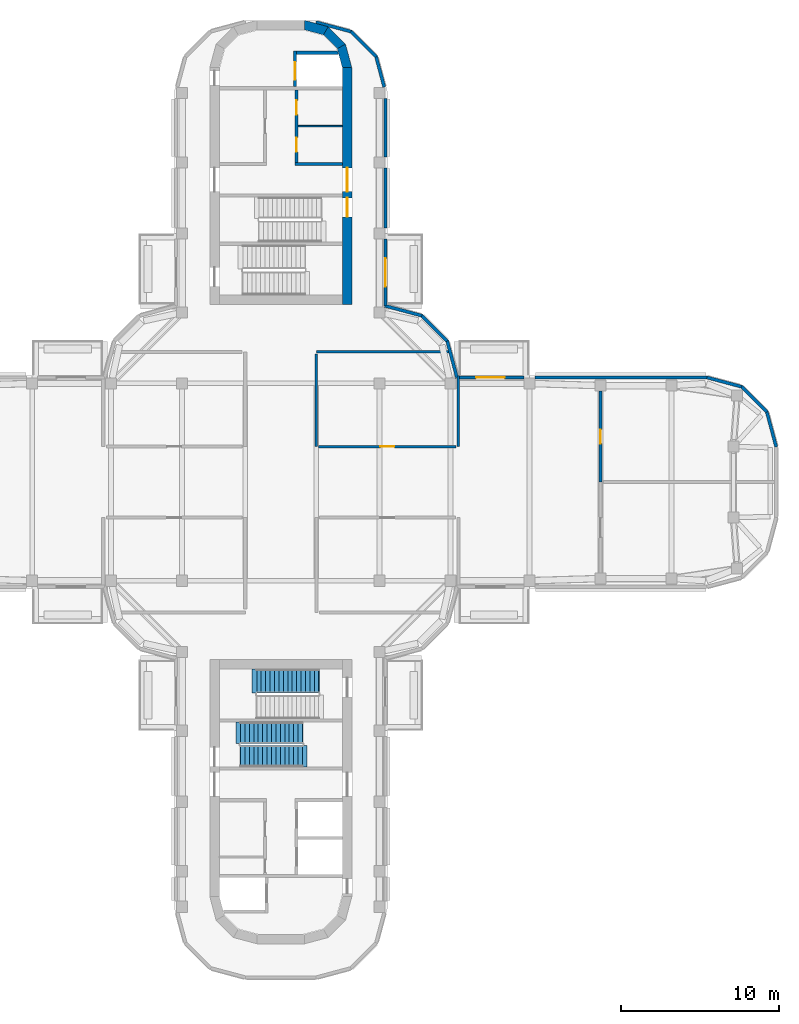
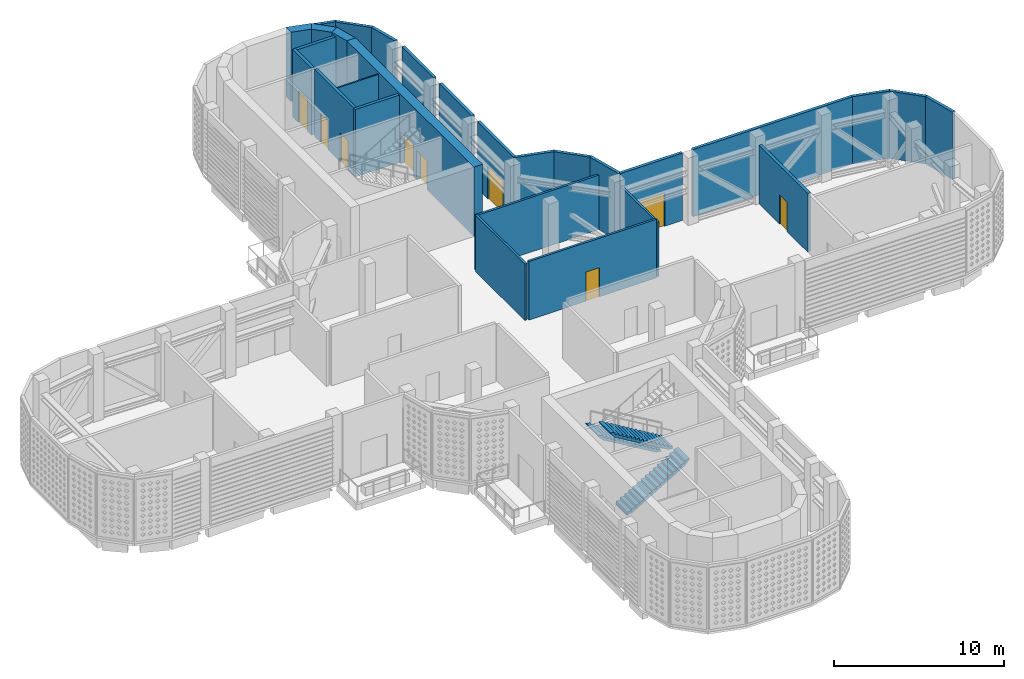
# One storey, part 7 of 20: 28 walls, 9 doors, 3 stair flights, 9 openings, 2 elements without a shape of their own.
"""IFC4 building model written with IfcOpenShell, lengths in metres."""

from ifc_helpers import new_model, si_unit, direction, frame, frame_2d, origin, place, context, subcontext, project, spatial, polyline, rectangle, outline, extrude, material, layer, layer_set, type_object, element, fill, aggregate, save


model = new_model("IFC4")

# Units and contexts
model_context = context("Model", 3, precision=1e-05, world=origin(), true_north=direction((0.0, 1.0)))
body_context = subcontext(model_context, "Body", "Model", "MODEL_VIEW")
ifc_project = project(units=[si_unit("LENGTHUNIT", "METRE"), si_unit("AREAUNIT", "SQUARE_METRE"), si_unit("VOLUMEUNIT", "CUBIC_METRE"), si_unit("PLANEANGLEUNIT", "RADIAN"), si_unit("MASSUNIT", "GRAM", prefix="KILO")], contexts=[model_context])

# Site, building, storey
site_placement = place(None, origin())
site = spatial("IfcSite", under=ifc_project, at=site_placement, CompositionType="ELEMENT")
building_placement = place(site_placement, origin())
building = spatial("IfcBuilding", under=site, at=building_placement, Name="Zarbagh Exchange Tower", CompositionType="ELEMENT")
storey_placement = place(building_placement, frame((0.0, 0.0, 244.800048828125)))
storey = spatial("IfcBuildingStorey", under=building, at=storey_placement, Name="L60", CompositionType="ELEMENT", Elevation=244.800048828125)

# Walls
ifc_material_1 = material(Name="Plasterboard partition")
ifc_layer_1 = layer(ifc_material_1, 0.14990234375)
ifc_layer_set_1 = layer_set([ifc_layer_1], Name="Board partition 150")
wall_type_1 = type_object("IfcWallType", Name="Board partition 150", PredefinedType="PARTITIONING", material=ifc_layer_set_1)
wall_1_placement = place(storey_placement, frame((10.84814453125, 8.25, 0.0), z_axis=(0.0, 0.0, 1.0), x_axis=(-1.0, 0.0, 0.0)))
element("IfcWall", 1, at=wall_1_placement, inside=storey, type_object=wall_type_1, Name="WL-L60-W001", PredefinedType="PARTITIONING", context=body_context, shape_type="SweptSolid", body=[
    extrude(rectangle(XDim=8.59814453125, YDim=0.14990234375, at=frame_2d((4.299072265625, 0.0))), origin(), (0.0, 0.0, 1.0), 3.929931640625),
])
wall_2_placement = place(storey_placement, frame((2.25, 8.10009765625, 0.0), z_axis=(0.0, 0.0, 1.0), x_axis=(0.0, -1.0, 0.0)))
element("IfcWall", 2, at=wall_2_placement, inside=storey, type_object=wall_type_1, Name="WL-L60-W002", PredefinedType="PARTITIONING", context=body_context, shape_type="SweptSolid", body=[
    extrude(rectangle(XDim=5.85009765625, YDim=0.14990234375, at=frame_2d((2.925048828125, 0.0))), origin(), (0.0, 0.0, 1.0), 4.0732421875),
])
wall_3_placement = place(storey_placement, frame((11.25, 6.75, 0.0), z_axis=(0.0, 0.0, 1.0), x_axis=(0.0, -1.0, 0.0)))
element("IfcWall", 3, at=wall_3_placement, inside=storey, type_object=wall_type_1, Name="WL-L60-W009", PredefinedType="PARTITIONING", context=body_context, shape_type="SweptSolid", body=[
    extrude(rectangle(XDim=4.5, YDim=0.14990234375, at=frame_2d((2.25, 0.0))), origin(), (0.0, 0.0, 1.0), 3.929931640625),
])

# Wall, opening, door
wall_4_placement = place(storey_placement, frame((2.39990234375, 2.25, 0.0), z_axis=(0.0, 0.0, 1.0), x_axis=(1.0, 0.0, 0.0)))
wall_4 = element("IfcWall", 4, at=wall_4_placement, inside=storey, type_object=wall_type_1, Name="WL-L60-W010", PredefinedType="PARTITIONING", context=body_context, shape_type="SweptSolid", body=[
    extrude(rectangle(XDim=8.7001953125, YDim=0.14990234375, at=frame_2d((4.35009765625, 0.0))), origin(), (0.0, 0.0, 1.0), 4.222900390625),
])
opening_1_placement = place(wall_4_placement, frame((3.89990234375, 0.0, 0.0)))
opening_1 = element("IfcOpeningElement", 5, at=opening_1_placement, cuts=wall_4, Name="Opening D28", PredefinedType="OPENING", context=body_context, shape_type="SweptSolid", body=[
    extrude(rectangle(XDim=0.89990234375, YDim=2.10009765625, at=frame_2d((0.449951171875, 1.050048828125))), frame((0.0, 0.0849609375, 0.0), z_axis=(0.0, -1.0, 0.0), x_axis=(1.0, 0.0, 0.0)), (0.0, 0.0, 1.0), 0.169921875),
])
ifc_material_2 = material(Name="Timber door leaf", Category="wood")
door_type_1 = type_object("IfcDoorType", Name="Door single 900x2100", OperationType="SINGLE_SWING_LEFT", PredefinedType="DOOR", material=ifc_material_2)
door_1_placement = place(opening_1_placement, origin())
door_1 = element("IfcDoor", 6, at=door_1_placement, inside=storey, type_object=door_type_1, Name="D01", OperationType="SINGLE_SWING_LEFT", OverallHeight=2.10009765625, OverallWidth=0.89990234375, PredefinedType="DOOR", context=body_context, shape_type="SweptSolid", body=[
    extrude(rectangle(XDim=0.89990234375, YDim=2.10009765625, at=frame_2d((0.449951171875, 1.050048828125))), frame((0.0, 0.02490234375, 0.0), z_axis=(0.0, -1.0, 0.0), x_axis=(1.0, 0.0, 0.0)), (0.0, 0.0, 1.0), 0.050048828125),
])
fill(opening_1, door_1)

# Wall
ifc_material_3 = material(Name="Dense blockwork", Category="masonry")
ifc_layer_2 = layer(ifc_material_3, 0.10009765625)
ifc_layer_set_2 = layer_set([ifc_layer_2], Name="Core partition 100 mm blockwork")
wall_type_2 = type_object("IfcWallType", Name="Core partition 100 mm blockwork", PredefinedType="PARTITIONING", material=ifc_layer_set_2)
wall_5_placement = place(storey_placement, frame((1.10009765625, 22.550048828125, 0.0), z_axis=(0.0, 0.0, 1.0), x_axis=(1.0, 0.0, 0.0)))
element("IfcWall", 7, at=wall_5_placement, inside=storey, type_object=wall_type_2, Name="North core partition wall CUT-E-580", PredefinedType="PARTITIONING", context=body_context, shape_type="SweptSolid", body=[
    extrude(rectangle(XDim=2.7998046875, YDim=0.10009765625, at=frame_2d((1.39990234375, 0.0))), origin(), (0.0, 0.0, 1.0), 4.849853515625),
])

# Wall, opening, door
ifc_material_4 = material(Name="Concrete block partition", Category="concrete")
ifc_layer_3 = layer(ifc_material_4, 0.199951171875)
ifc_layer_set_3 = layer_set([ifc_layer_3], Name="Fire-rated block partition 200 EI 60")
wall_type_3 = type_object("IfcWallType", Name="Fire-rated block partition 200 EI 60", PredefinedType="PARTITIONING", material=ifc_layer_set_3)
wall_6_placement = place(storey_placement, frame((20.25, 5.760009765625, 0.0), z_axis=(0.0, 0.0, 1.0), x_axis=(0.0, -1.0, 0.0)))
wall_6 = element("IfcWall", 8, at=wall_6_placement, inside=storey, type_object=wall_type_3, Name="WL-L60-W018", PredefinedType="PARTITIONING", context=body_context, shape_type="SweptSolid", body=[
    extrude(rectangle(XDim=5.760009765625, YDim=0.199951171875, at=frame_2d((2.8798828125, 0.0))), origin(), (0.0, 0.0, 1.0), 4.222900390625),
])
opening_2_placement = place(wall_6_placement, frame((2.429931640625, 0.0, 0.0)))
opening_2 = element("IfcOpeningElement", 9, at=opening_2_placement, cuts=wall_6, Name="Opening D06", PredefinedType="OPENING", context=body_context, shape_type="SweptSolid", body=[
    extrude(rectangle(XDim=0.89990234375, YDim=2.10009765625, at=frame_2d((0.449951171875, 1.050048828125))), frame((0.0, 0.10986328125, 0.0), z_axis=(0.0, -1.0, 0.0), x_axis=(1.0, 0.0, 0.0)), (0.0, 0.0, 1.0), 0.219970703125),
])
ifc_material_5 = material(Name="Steel door set", Category="steel")
door_type_2 = type_object("IfcDoorType", Name="Door single 900x2100 EI 60", OperationType="SINGLE_SWING_LEFT", PredefinedType="DOOR", material=ifc_material_5)
door_2_placement = place(opening_2_placement, origin())
door_2 = element("IfcDoor", 10, at=door_2_placement, inside=storey, type_object=door_type_2, Name="D06", OperationType="SINGLE_SWING_LEFT", OverallHeight=2.10009765625, OverallWidth=0.89990234375, PredefinedType="DOOR", context=body_context, shape_type="SweptSolid", body=[
    extrude(rectangle(XDim=0.89990234375, YDim=2.10009765625, at=frame_2d((0.449951171875, 1.050048828125))), frame((0.0, 0.02490234375, 0.0), z_axis=(0.0, -1.0, 0.0), x_axis=(1.0, 0.0, 0.0)), (0.0, 0.0, 1.0), 0.050048828125),
])
fill(opening_2, door_2)

# Walls
ifc_material_6 = material(Name="Precast concrete C50/60", Category="concrete")
ifc_layer_4 = layer(ifc_material_6, 0.199951171875)
ifc_layer_set_4 = layer_set([ifc_layer_4], Name="Plant wall, precast concrete C50/60")
wall_type_4 = type_object("IfcWallType", Name="Plant wall, precast concrete C50/60", PredefinedType="SOLIDWALL", material=ifc_layer_set_4)
wall_7_placement = place(storey_placement, origin())
element("IfcWall", 11, at=wall_7_placement, inside=storey, type_object=wall_type_4, Name="PW54 plant wall", PredefinedType="SOLIDWALL", context=body_context, shape_type="SweptSolid", body=[
    extrude(outline(polyline([(31.47998046875, 2.247314453125), (30.879150390625, 4.48974609375), (30.699951171875, 4.38623046875), (31.280029296875, 2.220947265625), (31.47998046875, 2.247314453125)])), origin(), (0.0, 0.0, 1.0), 4.849853515625),
])
wall_8_placement = place(storey_placement, origin())
element("IfcWall", 12, at=wall_8_placement, inside=storey, type_object=wall_type_4, Name="PW55 plant wall", PredefinedType="SOLIDWALL", context=body_context, shape_type="SweptSolid", body=[
    extrude(outline(polyline([(30.879150390625, 4.48974609375), (29.23974609375, 6.129150390625), (29.13623046875, 5.949951171875), (30.699951171875, 4.38623046875), (30.879150390625, 4.48974609375)])), origin(), (0.0, 0.0, 1.0), 4.849853515625),
])
wall_9_placement = place(storey_placement, origin())
element("IfcWall", 13, at=wall_9_placement, inside=storey, type_object=wall_type_4, Name="PW56 plant wall", PredefinedType="SOLIDWALL", context=body_context, shape_type="SweptSolid", body=[
    extrude(outline(polyline([(29.23974609375, 6.129150390625), (26.997314453125, 6.72998046875), (26.970947265625, 6.530029296875), (29.13623046875, 5.949951171875), (29.23974609375, 6.129150390625)])), origin(), (0.0, 0.0, 1.0), 4.849853515625),
])
wall_10_placement = place(storey_placement, origin())
element("IfcWall", 14, at=wall_10_placement, inside=storey, type_object=wall_type_4, Name="PW57 plant wall", PredefinedType="SOLIDWALL", context=body_context, shape_type="SweptSolid", body=[
    extrude(outline(polyline([(26.997314453125, 6.72998046875), (16.10009765625, 6.72998046875), (16.10009765625, 6.530029296875), (26.970947265625, 6.530029296875), (26.997314453125, 6.72998046875)])), origin(), (0.0, 0.0, 1.0), 4.849853515625),
])
wall_11_placement = place(storey_placement, origin())
element("IfcWall", 15, at=wall_11_placement, inside=storey, type_object=wall_type_4, Name="PW17 plant wall", PredefinedType="SOLIDWALL", context=body_context, shape_type="SweptSolid", body=[
    extrude(outline(polyline([(11.234619140625, 6.72998046875), (10.629150390625, 8.98974609375), (10.449951171875, 8.88623046875), (11.081298828125, 6.530029296875), (11.234619140625, 6.72998046875)])), origin(), (0.0, 0.0, 1.0), 4.849853515625),
])
wall_12_placement = place(storey_placement, origin())
element("IfcWall", 16, at=wall_12_placement, inside=storey, type_object=wall_type_4, Name="PW18 plant wall", PredefinedType="SOLIDWALL", context=body_context, shape_type="SweptSolid", body=[
    extrude(outline(polyline([(10.629150390625, 8.98974609375), (8.98974609375, 10.629150390625), (8.88623046875, 10.449951171875), (10.449951171875, 8.88623046875), (10.629150390625, 8.98974609375)])), origin(), (0.0, 0.0, 1.0), 4.849853515625),
])
wall_13_placement = place(storey_placement, origin())
element("IfcWall", 17, at=wall_13_placement, inside=storey, type_object=wall_type_4, Name="PW19 plant wall", PredefinedType="SOLIDWALL", context=body_context, shape_type="SweptSolid", body=[
    extrude(outline(polyline([(8.98974609375, 10.629150390625), (6.72998046875, 11.234619140625), (6.530029296875, 11.081298828125), (8.88623046875, 10.449951171875), (8.98974609375, 10.629150390625)])), origin(), (0.0, 0.0, 1.0), 4.849853515625),
])
wall_14_placement = place(storey_placement, origin())
element("IfcWall", 18, at=wall_14_placement, inside=storey, type_object=wall_type_4, Name="PW85 plant wall", PredefinedType="SOLIDWALL", context=body_context, shape_type="SweptSolid", body=[
    extrude(outline(polyline([(6.72998046875, 16.10009765625), (6.72998046875, 19.89990234375), (6.530029296875, 19.89990234375), (6.530029296875, 16.10009765625), (6.72998046875, 16.10009765625)])), origin(), (0.0, 0.0, 1.0), 4.849853515625),
])
wall_15_placement = place(storey_placement, origin())
element("IfcWall", 19, at=wall_15_placement, inside=storey, type_object=wall_type_4, Name="PW85 plant wall", PredefinedType="SOLIDWALL", context=body_context, shape_type="SweptSolid", body=[
    extrude(outline(polyline([(6.72998046875, 20.60009765625), (6.72998046875, 24.300048828125), (6.530029296875, 24.300048828125), (6.530029296875, 20.60009765625), (6.72998046875, 20.60009765625)])), origin(), (0.0, 0.0, 1.0), 4.849853515625),
])
wall_16_placement = place(storey_placement, origin())
element("IfcWall", 20, at=wall_16_placement, inside=storey, type_object=wall_type_4, Name="PW86 plant wall", PredefinedType="SOLIDWALL", context=body_context, shape_type="SweptSolid", body=[
    extrude(outline(polyline([(6.648193359375, 25.052490234375), (6.129150390625, 26.98974609375), (5.949951171875, 26.88623046875), (6.455078125, 25.00048828125), (6.648193359375, 25.052490234375)])), origin(), (0.0, 0.0, 1.0), 4.849853515625),
])
wall_17_placement = place(storey_placement, origin())
element("IfcWall", 21, at=wall_17_placement, inside=storey, type_object=wall_type_4, Name="PW87 plant wall", PredefinedType="SOLIDWALL", context=body_context, shape_type="SweptSolid", body=[
    extrude(outline(polyline([(6.129150390625, 26.98974609375), (4.48974609375, 28.629150390625), (4.38623046875, 28.449951171875), (5.949951171875, 26.88623046875), (6.129150390625, 26.98974609375)])), origin(), (0.0, 0.0, 1.0), 4.849853515625),
])
wall_18_placement = place(storey_placement, origin())
element("IfcWall", 22, at=wall_18_placement, inside=storey, type_object=wall_type_4, Name="PW88 plant wall", PredefinedType="SOLIDWALL", context=body_context, shape_type="SweptSolid", body=[
    extrude(outline(polyline([(2.247314453125, 29.22998046875), (2.224365234375, 29.055908203125), (3.0, 28.84814453125), (3.03662109375, 28.8115234375), (4.38623046875, 28.449951171875), (4.48974609375, 28.629150390625), (2.247314453125, 29.22998046875)])), origin(), (0.0, 0.0, 1.0), 4.849853515625),
])
ifc_material_7 = material(Name="Concrete C50/60", Category="concrete")
ifc_layer_5 = layer(ifc_material_7, 0.60009765625)
ifc_layer_set_5 = layer_set([ifc_layer_5], Name="RC core corner wall 600 C50/60")
wall_type_5 = type_object("IfcWallType", Name="RC core corner wall 600 C50/60", PredefinedType="SHEAR", material=ifc_layer_set_5)
wall_19_placement = place(storey_placement, origin())
element("IfcWall", 23, at=wall_19_placement, inside=storey, type_object=wall_type_5, Name="CW8 core N corner E", PredefinedType="SHEAR", context=body_context, shape_type="SweptSolid", body=[
    extrude(outline(polyline([(4.5, 26.25), (4.09814453125, 27.75), (3.57861328125, 27.449951171875), (3.89990234375, 26.25), (4.5, 26.25)])), origin(), (0.0, 0.0, 1.0), 5.0),
])
wall_20_placement = place(storey_placement, origin())
element("IfcWall", 24, at=wall_20_placement, inside=storey, type_object=wall_type_5, Name="CW8 core N corner E", PredefinedType="SHEAR", context=body_context, shape_type="SweptSolid", body=[
    extrude(outline(polyline([(4.09814453125, 27.75), (3.0, 28.84814453125), (2.699951171875, 28.32861328125), (3.57861328125, 27.449951171875), (4.09814453125, 27.75)])), origin(), (0.0, 0.0, 1.0), 5.0),
])
wall_21_placement = place(storey_placement, origin())
element("IfcWall", 25, at=wall_21_placement, inside=storey, type_object=wall_type_5, Name="CW8 core N corner E", PredefinedType="SHEAR", context=body_context, shape_type="SweptSolid", body=[
    extrude(outline(polyline([(3.0, 28.84814453125), (1.5, 29.25), (1.5, 28.64990234375), (2.699951171875, 28.32861328125), (3.0, 28.84814453125)])), origin(), (0.0, 0.0, 1.0), 5.0),
])

# Wall, openings, doors
ifc_layer_6 = layer(ifc_material_7, 0.60009765625)
ifc_layer_set_6 = layer_set([ifc_layer_6], Name="RC core wall 600 C50/60")
wall_type_6 = type_object("IfcWallType", Name="RC core wall 600 C50/60", PredefinedType="SHEAR", material=ifc_layer_set_6)
wall_22_placement = place(storey_placement, frame((4.199951171875, 11.25, 0.0), z_axis=(0.0, 0.0, 1.0), x_axis=(0.0, 1.0, 0.0)))
wall_22 = element("IfcWall", 26, at=wall_22_placement, inside=storey, type_object=wall_type_6, Name="CW7 core N E", PredefinedType="SHEAR", context=body_context, shape_type="SweptSolid", body=[
    extrude(rectangle(XDim=15.0, YDim=0.60009765625, at=frame_2d((7.5, 0.0))), origin(), (0.0, 0.0, 1.0), 5.0),
])
opening_3_placement = place(wall_22_placement, frame((7.14990234375, 0.0, 0.0)))
opening_3 = element("IfcOpeningElement", 27, at=opening_3_placement, cuts=wall_22, Name="Opening CD1-1500", PredefinedType="OPENING", context=body_context, shape_type="SweptSolid", body=[
    extrude(rectangle(XDim=1.5, YDim=2.300048828125, at=frame_2d((0.75, 1.14990234375))), frame((0.0, 0.31005859375, 0.0), z_axis=(0.0, -1.0, 0.0), x_axis=(1.0, 0.0, 0.0)), (0.0, 0.0, 1.0), 0.6201171875),
])
opening_4_placement = place(wall_22_placement, frame((5.550048828125, 0.0, 0.0)))
opening_4 = element("IfcOpeningElement", 28, at=opening_4_placement, cuts=wall_22, Name="Opening SD1-1200", PredefinedType="OPENING", context=body_context, shape_type="SweptSolid", body=[
    extrude(rectangle(XDim=1.199951171875, YDim=2.10009765625, at=frame_2d((0.60009765625, 1.050048828125))), frame((0.0, 0.31005859375, 0.0), z_axis=(0.0, -1.0, 0.0), x_axis=(1.0, 0.0, 0.0)), (0.0, 0.0, 1.0), 0.6201171875),
])
ifc_material_8 = material(Name="Steel", Category="steel")
door_type_3 = type_object("IfcDoorType", Name="Exit stair door 1200 x 2100", OperationType="NOTDEFINED", PredefinedType="DOOR", material=ifc_material_8)
door_3_placement = place(opening_4_placement, origin())
door_3 = element("IfcDoor", 29, at=door_3_placement, inside=storey, type_object=door_type_3, Name="North core stair door ST1", OperationType="SINGLE_SWING_RIGHT", OverallHeight=2.10009765625, OverallWidth=1.199951171875, PredefinedType="DOOR", context=body_context, shape_type="SweptSolid", body=[
    extrude(rectangle(XDim=1.199951171875, YDim=2.10009765625, at=frame_2d((0.60009765625, 1.050048828125))), frame((0.0, 0.02490234375, 0.0), z_axis=(0.0, -1.0, 0.0), x_axis=(1.0, 0.0, 0.0)), (0.0, 0.0, 1.0), 0.050048828125),
])
fill(opening_4, door_3)
door_type_4 = type_object("IfcDoorType", Name="Lift lobby double door 1500 x 2300", OperationType="NOTDEFINED", PredefinedType="DOOR", material=ifc_material_8)
door_4_placement = place(opening_3_placement, origin())
door_4 = element("IfcDoor", 30, at=door_4_placement, inside=storey, type_object=door_type_4, Name="North core lift lobby door LOBBY-E", OperationType="DOUBLE_DOOR_SINGLE_SWING", OverallHeight=2.300048828125, OverallWidth=1.5, PredefinedType="DOOR", context=body_context, shape_type="SweptSolid", body=[
    extrude(rectangle(XDim=1.5, YDim=2.300048828125, at=frame_2d((0.75, 1.14990234375))), frame((0.0, 0.02490234375, 0.0), z_axis=(0.0, -1.0, 0.0), x_axis=(1.0, 0.0, 0.0)), (0.0, 0.0, 1.0), 0.050048828125),
])
fill(opening_3, door_4)

# Wall
ifc_layer_7 = layer(ifc_material_3, 0.199951171875)
ifc_layer_set_7 = layer_set([ifc_layer_7], Name="Shaft wall 200 mm blockwork")
wall_type_7 = type_object("IfcWallType", Name="Shaft wall 200 mm blockwork", PredefinedType="PARTITIONING", material=ifc_layer_set_7)
wall_23_placement = place(storey_placement, frame((0.89990234375, 20.14990234375, 0.0), z_axis=(0.0, 0.0, 1.0), x_axis=(1.0, 0.0, 0.0)))
element("IfcWall", 31, at=wall_23_placement, inside=storey, type_object=wall_type_7, Name="North core shaft wall AB-E", PredefinedType="PARTITIONING", context=body_context, shape_type="SweptSolid", body=[
    extrude(rectangle(XDim=3.0, YDim=0.199951171875, at=frame_2d((1.5, 0.0))), origin(), (0.0, 0.0, 1.0), 4.849853515625),
])

# Wall, openings, doors
wall_24_placement = place(storey_placement, frame((1.0, 24.85009765625, 0.0), z_axis=(0.0, 0.0, 1.0), x_axis=(0.0, -1.0, 0.0)))
wall_24 = element("IfcWall", 32, at=wall_24_placement, inside=storey, type_object=wall_type_7, Name="North core shaft wall LW-E", PredefinedType="PARTITIONING", context=body_context, shape_type="SweptSolid", body=[
    extrude(rectangle(XDim=4.60009765625, YDim=0.199951171875, at=frame_2d((2.300048828125, 0.0))), origin(), (0.0, 0.0, 1.0), 4.849853515625),
])
opening_5_placement = place(wall_24_placement, frame((0.675048828125, 0.0, 0.0)))
opening_5 = element("IfcOpeningElement", 33, at=opening_5_placement, cuts=wall_24, Name="Opening CD3-900", PredefinedType="OPENING", context=body_context, shape_type="SweptSolid", body=[
    extrude(rectangle(XDim=0.89990234375, YDim=2.10009765625, at=frame_2d((0.449951171875, 1.050048828125))), frame((0.0, 0.10986328125, 0.0), z_axis=(0.0, -1.0, 0.0), x_axis=(1.0, 0.0, 0.0)), (0.0, 0.0, 1.0), 0.219970703125),
])
opening_6_placement = place(wall_24_placement, frame((3.02490234375, 0.0, 0.0)))
opening_6 = element("IfcOpeningElement", 34, at=opening_6_placement, cuts=wall_24, Name="Opening CD3-900", PredefinedType="OPENING", context=body_context, shape_type="SweptSolid", body=[
    extrude(rectangle(XDim=0.89990234375, YDim=2.10009765625, at=frame_2d((0.449951171875, 1.050048828125))), frame((0.0, 0.10986328125, 0.0), z_axis=(0.0, -1.0, 0.0), x_axis=(1.0, 0.0, 0.0)), (0.0, 0.0, 1.0), 0.219970703125),
])
door_type_5 = type_object("IfcDoorType", Name="Core room door 900 x 2100", OperationType="NOTDEFINED", PredefinedType="DOOR", material=ifc_material_8)
door_5_placement = place(opening_5_placement, origin())
door_5 = element("IfcDoor", 35, at=door_5_placement, inside=storey, type_object=door_type_5, Name="North core Plant room door RD-E-0", OperationType="SINGLE_SWING_LEFT", OverallHeight=2.10009765625, OverallWidth=0.89990234375, PredefinedType="DOOR", context=body_context, shape_type="SweptSolid", body=[
    extrude(rectangle(XDim=0.89990234375, YDim=2.10009765625, at=frame_2d((0.449951171875, 1.050048828125))), frame((0.0, 0.02490234375, 0.0), z_axis=(0.0, -1.0, 0.0), x_axis=(1.0, 0.0, 0.0)), (0.0, 0.0, 1.0), 0.050048828125),
])
fill(opening_5, door_5)
door_6_placement = place(opening_6_placement, origin())
door_6 = element("IfcDoor", 36, at=door_6_placement, inside=storey, type_object=door_type_5, Name="North core Switch room door RD-E-1", OperationType="SINGLE_SWING_RIGHT", OverallHeight=2.10009765625, OverallWidth=0.89990234375, PredefinedType="DOOR", context=body_context, shape_type="SweptSolid", body=[
    extrude(rectangle(XDim=0.89990234375, YDim=2.10009765625, at=frame_2d((0.449951171875, 1.050048828125))), frame((0.0, 0.02490234375, 0.0), z_axis=(0.0, -1.0, 0.0), x_axis=(1.0, 0.0, 0.0)), (0.0, 0.0, 1.0), 0.050048828125),
])
fill(opening_6, door_6)

# Wall, opening, door
ifc_material_9 = material(Name="Concrete C40/50", Category="concrete")
ifc_layer_8 = layer(ifc_material_9, 0.199951171875)
ifc_layer_set_8 = layer_set([ifc_layer_8], Name="Stair enclosure wall 200 mm RC C40/50")
wall_type_8 = type_object("IfcWallType", Name="Stair enclosure wall 200 mm RC C40/50", PredefinedType="SHEAR", material=ifc_layer_set_8)
wall_25_placement = place(storey_placement, frame((0.89990234375, 27.300048828125, 0.0), z_axis=(0.0, 0.0, 1.0), x_axis=(0.0, -1.0, 0.0)))
wall_25 = element("IfcWall", 37, at=wall_25_placement, inside=storey, type_object=wall_type_8, Name="North core lift shaft wall FFL", PredefinedType="SHEAR", context=body_context, shape_type="SweptSolid", body=[
    extrude(rectangle(XDim=2.25, YDim=0.199951171875, at=frame_2d((1.125, 0.0))), origin(), (0.0, 0.0, 1.0), 4.849853515625),
])
opening_7_placement = place(wall_25_placement, frame((0.699951171875, 0.0, 0.0)))
opening_7 = element("IfcOpeningElement", 38, at=opening_7_placement, cuts=wall_25, Name="Opening LD-1100", PredefinedType="OPENING", context=body_context, shape_type="SweptSolid", body=[
    extrude(rectangle(XDim=1.10009765625, YDim=2.300048828125, at=frame_2d((0.550048828125, 1.14990234375))), frame((0.0, 0.10986328125, 0.0), z_axis=(0.0, -1.0, 0.0), x_axis=(1.0, 0.0, 0.0)), (0.0, 0.0, 1.0), 0.219970703125),
])
ifc_material_10 = material(Name="Stainless steel", Category="steel")
door_type_6 = type_object("IfcDoorType", Name="Lift landing door 1100 x 2300", OperationType="NOTDEFINED", PredefinedType="DOOR", material=ifc_material_10)
door_7_placement = place(opening_7_placement, origin())
door_7 = element("IfcDoor", 39, at=door_7_placement, inside=storey, type_object=door_type_6, Name="North core lift landing door LD-F", OperationType="DOUBLE_DOOR_SLIDING", OverallHeight=2.300048828125, OverallWidth=1.10009765625, PredefinedType="DOOR", context=body_context, shape_type="SweptSolid", body=[
    extrude(rectangle(XDim=1.10009765625, YDim=2.300048828125, at=frame_2d((0.550048828125, 1.14990234375))), frame((0.0, 0.02490234375, 0.0), z_axis=(0.0, -1.0, 0.0), x_axis=(1.0, 0.0, 0.0)), (0.0, 0.0, 1.0), 0.050048828125),
])
fill(opening_7, door_7)

# Wall
wall_26_placement = place(storey_placement, origin())
element("IfcWall", 40, at=wall_26_placement, inside=storey, type_object=wall_type_8, Name="North core lift shaft wall FFX", PredefinedType="SHEAR", context=body_context, shape_type="SweptSolid", body=[
    extrude(outline(polyline([(1.0, 27.10009765625), (3.651123046875, 27.10009765625), (3.597412109375, 27.300048828125), (1.0, 27.300048828125), (1.0, 27.10009765625)])), origin(), (0.0, 0.0, 1.0), 4.849853515625),
])

# Wall, opening, door
ifc_layer_9 = layer(ifc_material_6, 0.199951171875)
ifc_layer_set_9 = layer_set([ifc_layer_9], Name="Terrace door wall, precast concrete C50/60")
wall_type_9 = type_object("IfcWallType", Name="Terrace door wall, precast concrete C50/60", PredefinedType="SOLIDWALL", material=ifc_layer_set_9)
wall_27_placement = place(storey_placement, frame((15.39990234375, 6.6298828125, 0.0), z_axis=(0.0, 0.0, 1.0), x_axis=(-1.0, 0.0, 0.0)))
wall_27 = element("IfcWall", 41, at=wall_27_placement, inside=storey, type_object=wall_type_9, Name="TW45 door wall", PredefinedType="SOLIDWALL", context=body_context, shape_type="SweptSolid", body=[
    extrude(rectangle(XDim=4.241943359375, YDim=0.199951171875, at=frame_2d((2.12109375, 0.0))), origin(), (0.0, 0.0, 1.0), 4.849853515625),
])
opening_8_placement = place(wall_27_placement, frame((1.220947265625, 0.0, 0.0)))
opening_8 = element("IfcOpeningElement", 42, at=opening_8_placement, cuts=wall_27, Name="Opening TD02", PredefinedType="OPENING", context=body_context, shape_type="SweptSolid", body=[
    extrude(rectangle(XDim=1.800048828125, YDim=2.39990234375, at=frame_2d((0.89990234375, 1.199951171875))), frame((0.0, 0.10986328125, 0.0), z_axis=(0.0, -1.0, 0.0), x_axis=(1.0, 0.0, 0.0)), (0.0, 0.0, 1.0), 0.219970703125),
])
ifc_material_11 = material(Name="Anodised aluminium and glass", Category="aluminium")
door_type_7 = type_object("IfcDoorType", Name="Terrace door, double leaf, aluminium and glass", OperationType="DOUBLE_DOOR_DOUBLE_SWING", PredefinedType="DOOR", material=ifc_material_11)
door_8_placement = place(opening_8_placement, origin())
door_8 = element("IfcDoor", 43, at=door_8_placement, inside=storey, type_object=door_type_7, Name="TD02 terrace door", OperationType="SINGLE_SWING_LEFT", OverallHeight=2.39990234375, OverallWidth=1.800048828125, PredefinedType="DOOR", context=body_context, shape_type="SweptSolid", body=[
    extrude(rectangle(XDim=1.800048828125, YDim=2.39990234375, at=frame_2d((0.89990234375, 1.199951171875))), frame((0.0, 0.02490234375, 0.0), z_axis=(0.0, -1.0, 0.0), x_axis=(1.0, 0.0, 0.0)), (0.0, 0.0, 1.0), 0.050048828125),
])
fill(opening_8, door_8)

wall_28_placement = place(storey_placement, frame((6.6298828125, 11.157958984375, 0.0), z_axis=(0.0, 0.0, 1.0), x_axis=(0.0, 1.0, 0.0)))
wall_28 = element("IfcWall", 44, at=wall_28_placement, inside=storey, type_object=wall_type_9, Name="TW55 door wall", PredefinedType="SOLIDWALL", context=body_context, shape_type="SweptSolid", body=[
    extrude(rectangle(XDim=4.241943359375, YDim=0.199951171875, at=frame_2d((2.12109375, 0.0))), origin(), (0.0, 0.0, 1.0), 4.849853515625),
])
opening_9_placement = place(wall_28_placement, frame((1.220947265625, 0.0, 0.0)))
opening_9 = element("IfcOpeningElement", 45, at=opening_9_placement, cuts=wall_28, Name="Opening TD02", PredefinedType="OPENING", context=body_context, shape_type="SweptSolid", body=[
    extrude(rectangle(XDim=1.800048828125, YDim=2.39990234375, at=frame_2d((0.89990234375, 1.199951171875))), frame((0.0, 0.10986328125, 0.0), z_axis=(0.0, -1.0, 0.0), x_axis=(1.0, 0.0, 0.0)), (0.0, 0.0, 1.0), 0.219970703125),
])
door_9_placement = place(opening_9_placement, origin())
door_9 = element("IfcDoor", 46, at=door_9_placement, inside=storey, type_object=door_type_7, Name="TD02 terrace door", OperationType="SINGLE_SWING_LEFT", OverallHeight=2.39990234375, OverallWidth=1.800048828125, PredefinedType="DOOR", context=body_context, shape_type="SweptSolid", body=[
    extrude(rectangle(XDim=1.800048828125, YDim=2.39990234375, at=frame_2d((0.89990234375, 1.199951171875))), frame((0.0, 0.02490234375, 0.0), z_axis=(0.0, -1.0, 0.0), x_axis=(1.0, 0.0, 0.0)), (0.0, 0.0, 1.0), 0.050048828125),
])
fill(opening_9, door_9)

# Stair, stair flights
stair_type = type_object("IfcStairType", Name="Exit stair two-flight half-turn", PredefinedType="HALF_TURN_STAIR", material=ifc_material_9)
stair_1_placement = place(storey_placement, origin())
stair_1 = element("IfcStair", 47, at=stair_1_placement, inside=storey, type_object=stair_type, Name="exit stair ST3", PredefinedType="HALF_TURN_STAIR")
stair_flight_type_1 = type_object("IfcStairFlightType", Name="Stair flight 1350 mm", PredefinedType="STRAIGHT", material=ifc_material_9)
stair_flight_1_placement = place(storey_placement, frame((-2.550048828125, -17.375, 0.0), z_axis=(0.0, 0.0, 1.0), x_axis=(1.0, 0.0, 0.0)))
stair_flight_1 = element("IfcStairFlight", 48, at=stair_flight_1_placement, type_object=stair_flight_type_1, Name="ST3 flight 1", NumberOfRisers=15, NumberOfTreads=14, PredefinedType="STRAIGHT", RiserHeight=0.166666667, TreadLength=0.28, context=body_context, shape_type="SweptSolid", body=[
    extrude(outline(polyline([(-0.050048828125, -0.050048828125), (-0.050048828125, 0.0), (0.0, 0.0), (0.0, 0.166748046875), (0.280029296875, 0.166748046875), (0.280029296875, 0.333251953125), (0.56005859375, 0.333251953125), (0.56005859375, 0.5), (0.840087890625, 0.5), (0.840087890625, 0.666748046875), (1.1201171875, 0.666748046875), (1.1201171875, 0.833251953125), (1.39990234375, 0.833251953125), (1.39990234375, 1.0), (1.679931640625, 1.0), (1.679931640625, 1.166748046875), (1.9599609375, 1.166748046875), (1.9599609375, 1.333251953125), (2.239990234375, 1.333251953125), (2.239990234375, 1.5), (2.52001953125, 1.5), (2.52001953125, 1.666748046875), (2.800048828125, 1.666748046875), (2.800048828125, 1.833251953125), (3.080078125, 1.833251953125), (3.080078125, 2.0), (3.360107421875, 2.0), (3.360107421875, 2.166748046875), (3.639892578125, 2.166748046875), (3.639892578125, 2.333251953125), (3.919921875, 2.333251953125), (3.919921875, 2.5), (4.219970703125, 2.580078125), (4.219970703125, 2.5), (3.919921875, 2.158935546875), (0.29296875, 0.0), (-0.050048828125, -0.050048828125)])), frame((0.0, 0.675048828125, 0.0), z_axis=(0.0, -1.0, 0.0), x_axis=(1.0, 0.0, 0.0)), (0.0, 0.0, 1.0), 1.35009765625),
])
stair_flight_2_placement = place(storey_placement, frame((1.3701171875, -15.875, 2.5), z_axis=(0.0, 0.0, 1.0), x_axis=(-1.0, 0.0, 0.0)))
stair_flight_2 = element("IfcStairFlight", 49, at=stair_flight_2_placement, type_object=stair_flight_type_1, Name="ST3 flight 2", NumberOfRisers=15, NumberOfTreads=14, PredefinedType="STRAIGHT", RiserHeight=0.166666667, TreadLength=0.28, context=body_context, shape_type="SweptSolid", body=[
    extrude(outline(polyline([(-0.050048828125, -0.050048828125), (-0.050048828125, 0.0), (0.0, 0.0), (0.0, 0.166748046875), (0.280029296875, 0.166748046875), (0.280029296875, 0.333251953125), (0.56005859375, 0.333251953125), (0.56005859375, 0.5), (0.840087890625, 0.5), (0.840087890625, 0.666748046875), (1.1201171875, 0.666748046875), (1.1201171875, 0.833251953125), (1.39990234375, 0.833251953125), (1.39990234375, 1.0), (1.679931640625, 1.0), (1.679931640625, 1.166748046875), (1.9599609375, 1.166748046875), (1.9599609375, 1.333251953125), (2.239990234375, 1.333251953125), (2.239990234375, 1.5), (2.52001953125, 1.5), (2.52001953125, 1.666748046875), (2.800048828125, 1.666748046875), (2.800048828125, 1.833251953125), (3.080078125, 1.833251953125), (3.080078125, 2.0), (3.360107421875, 2.0), (3.360107421875, 2.166748046875), (3.639892578125, 2.166748046875), (3.639892578125, 2.333251953125), (3.919921875, 2.333251953125), (3.919921875, 2.5), (4.219970703125, 2.580078125), (4.219970703125, 2.5), (3.919921875, 2.158935546875), (0.29296875, 0.0), (-0.050048828125, -0.050048828125)])), frame((0.0, 0.675048828125, 0.0), z_axis=(0.0, -1.0, 0.0), x_axis=(1.0, 0.0, 0.0)), (0.0, 0.0, 1.0), 1.35009765625),
])
aggregate(stair_1, [stair_flight_1, stair_flight_2])

# Stair, stair flight
stair_2_placement = place(storey_placement, origin())
stair_2 = element("IfcStair", 50, at=stair_2_placement, inside=storey, type_object=stair_type, Name="exit stair ST4", PredefinedType="HALF_TURN_STAIR")
stair_flight_type_2 = type_object("IfcStairFlightType", Name="Stair flight 1500 mm", PredefinedType="STRAIGHT", material=ifc_material_9)
stair_flight_3_placement = place(storey_placement, frame((2.39990234375, -12.60009765625, 0.0), z_axis=(0.0, 0.0, 1.0), x_axis=(-1.0, 0.0, 0.0)))
stair_flight_3 = element("IfcStairFlight", 51, at=stair_flight_3_placement, type_object=stair_flight_type_2, Name="ST4 flight 1", NumberOfRisers=15, NumberOfTreads=14, PredefinedType="STRAIGHT", RiserHeight=0.166666667, TreadLength=0.28, context=body_context, shape_type="SweptSolid", body=[
    extrude(outline(polyline([(-0.050048828125, -0.050048828125), (-0.050048828125, 0.0), (0.0, 0.0), (0.0, 0.166748046875), (0.280029296875, 0.166748046875), (0.280029296875, 0.333251953125), (0.56005859375, 0.333251953125), (0.56005859375, 0.5), (0.840087890625, 0.5), (0.840087890625, 0.666748046875), (1.1201171875, 0.666748046875), (1.1201171875, 0.833251953125), (1.39990234375, 0.833251953125), (1.39990234375, 1.0), (1.679931640625, 1.0), (1.679931640625, 1.166748046875), (1.9599609375, 1.166748046875), (1.9599609375, 1.333251953125), (2.239990234375, 1.333251953125), (2.239990234375, 1.5), (2.52001953125, 1.5), (2.52001953125, 1.666748046875), (2.800048828125, 1.666748046875), (2.800048828125, 1.833251953125), (3.080078125, 1.833251953125), (3.080078125, 2.0), (3.360107421875, 2.0), (3.360107421875, 2.166748046875), (3.639892578125, 2.166748046875), (3.639892578125, 2.333251953125), (3.919921875, 2.333251953125), (3.919921875, 2.5), (4.219970703125, 2.580078125), (4.219970703125, 2.5), (3.919921875, 2.158935546875), (0.29296875, 0.0), (-0.050048828125, -0.050048828125)])), frame((0.0, 0.75, 0.0), z_axis=(0.0, -1.0, 0.0), x_axis=(1.0, 0.0, 0.0)), (0.0, 0.0, 1.0), 1.5),
])
aggregate(stair_2, [stair_flight_3])

save(model, "model.ifc")
